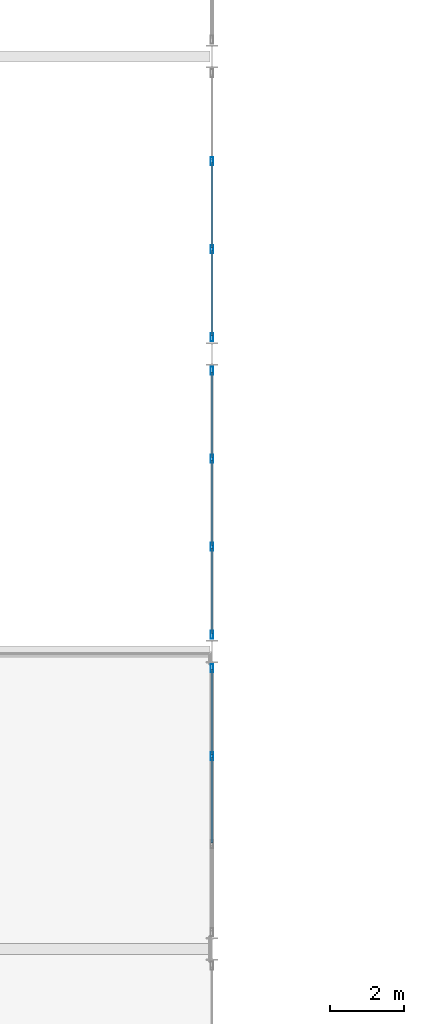
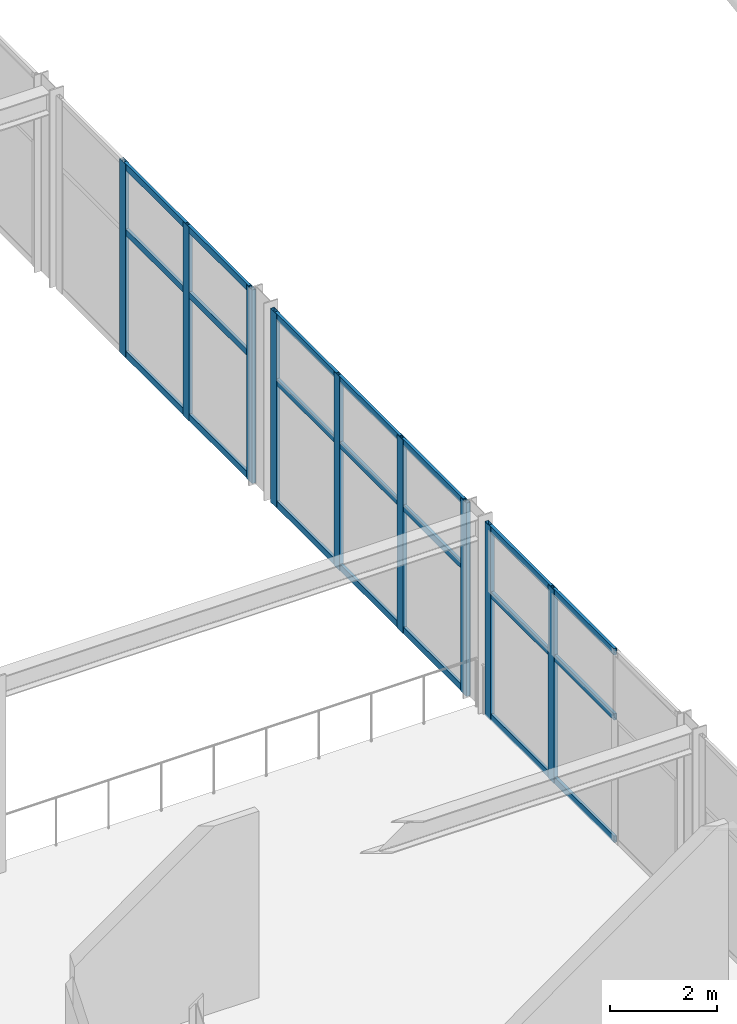
# One storey, part 40 of 105: 30 members, 3 elements without a shape of their own.
"""IFC4 building model written with IfcOpenShell, lengths in metres."""

from ifc_helpers import new_model, si_unit, direction, frame, origin, origin_2d, place, context, subcontext, project, spatial, hollow_rectangle, extrude, material, layer, layer_set, material_profile, profile_set, type_object, element, aggregate, save


model = new_model("IFC4")

# Units and contexts
model_context = context("Model", 3, precision=1e-05, world=origin(), true_north=direction((0.0, 1.0)))
body_context = subcontext(model_context, "Body", "Model", "MODEL_VIEW")
ifc_project = project(units=[si_unit("LENGTHUNIT", "METRE"), si_unit("AREAUNIT", "SQUARE_METRE"), si_unit("VOLUMEUNIT", "CUBIC_METRE"), si_unit("PLANEANGLEUNIT", "RADIAN"), si_unit("MASSUNIT", "GRAM", prefix="KILO")], contexts=[model_context])

# Site, building, storey
site_placement = place(None, origin())
site = spatial("IfcSite", under=ifc_project, at=site_placement, CompositionType="ELEMENT")
building_placement = place(site_placement, origin())
building = spatial("IfcBuilding", under=site, at=building_placement, Name="Marlcrest Central Station", CompositionType="ELEMENT")
storey_placement = place(building_placement, frame((0.0, 0.0, 15.0)))
storey = spatial("IfcBuildingStorey", under=building, at=storey_placement, Name="L03", CompositionType="ELEMENT", Elevation=15.0)

# Curtain wall, members
ifc_material_1 = material(Name="Anodised aluminium and hurricane laminated glass", Category="aluminium")
ifc_layer = layer(ifc_material_1, 0.219970703125, Name="CW-U1")
ifc_layer_set = layer_set([ifc_layer], Name="Anodised aluminium and hurricane laminated glass")
curtain_wall_type = type_object("IfcCurtainWallType", Name="CW-U1", PredefinedType="USERDEFINED", material=ifc_layer_set)
curtain_wall_1_placement = place(storey_placement, origin())
curtain_wall_1 = element("IfcCurtainWall", 1, at=curtain_wall_1_placement, inside=storey, type_object=curtain_wall_type, Name="cw-L03-0106", ObjectType="UNITISED_CURTAIN_WALL", PredefinedType="USERDEFINED")
ifc_material_2 = material(Name="Anodised aluminium 6063-T6", Category="aluminium")
ifc_material_profile_1 = material_profile(ifc_material_2, hollow_rectangle(XDim=0.080078125, YDim=0.219970703125, WallThickness=0.006103515625, at=origin_2d()), Name="AA-RHS 220x80x6")
ifc_profile_set_1 = profile_set([ifc_material_profile_1], Name="Anodised aluminium 6063-T6")
member_type_1 = type_object("IfcMemberType", Name="ML-01", PredefinedType="MULLION", material=ifc_profile_set_1)
member_1_placement = place(storey_placement, frame((129.0, 38.050048828125, -0.030029296875), z_axis=(0.0, 0.0, 1.0), x_axis=(1.0, 0.0, 0.0)))
member_1 = element("IfcMember", 2, at=member_1_placement, type_object=member_type_1, Name="cw-L03-0106-ml-0", PredefinedType="MULLION", context=body_context, shape_type="SweptSolid", body=[
    extrude(hollow_rectangle(XDim=0.080078125, YDim=0.219970703125, WallThickness=0.006103515625, at=origin_2d()), origin(), (0.0, 0.0, 1.0), 4.409912109375),
])
member_2_placement = place(storey_placement, frame((129.0, 35.683349609375, -0.030029296875), z_axis=(0.0, 0.0, 1.0), x_axis=(1.0, 0.0, 0.0)))
member_2 = element("IfcMember", 3, at=member_2_placement, type_object=member_type_1, Name="cw-L03-0106-ml-1", PredefinedType="MULLION", context=body_context, shape_type="SweptSolid", body=[
    extrude(hollow_rectangle(XDim=0.080078125, YDim=0.219970703125, WallThickness=0.006103515625, at=origin_2d()), origin(), (0.0, 0.0, 1.0), 4.409912109375),
])

curtain_wall_2_placement = place(storey_placement, origin())
curtain_wall_2 = element("IfcCurtainWall", 4, at=curtain_wall_2_placement, inside=storey, type_object=curtain_wall_type, Name="cw-L03-0110", ObjectType="UNITISED_CURTAIN_WALL", PredefinedType="USERDEFINED")
member_3_placement = place(storey_placement, frame((129.0, 46.050048828125, -0.030029296875), z_axis=(0.0, 0.0, 1.0), x_axis=(1.0, 0.0, 0.0)))
member_3 = element("IfcMember", 5, at=member_3_placement, type_object=member_type_1, Name="cw-L03-0110-ml-0", PredefinedType="MULLION", context=body_context, shape_type="SweptSolid", body=[
    extrude(hollow_rectangle(XDim=0.080078125, YDim=0.219970703125, WallThickness=0.006103515625, at=origin_2d()), origin(), (0.0, 0.0, 1.0), 4.409912109375),
])
member_4_placement = place(storey_placement, frame((129.0, 43.683349609375, -0.030029296875), z_axis=(0.0, 0.0, 1.0), x_axis=(1.0, 0.0, 0.0)))
member_4 = element("IfcMember", 6, at=member_4_placement, type_object=member_type_1, Name="cw-L03-0110-ml-1", PredefinedType="MULLION", context=body_context, shape_type="SweptSolid", body=[
    extrude(hollow_rectangle(XDim=0.080078125, YDim=0.219970703125, WallThickness=0.006103515625, at=origin_2d()), origin(), (0.0, 0.0, 1.0), 4.409912109375),
])
member_5_placement = place(storey_placement, frame((129.0, 41.316650390625, -0.030029296875), z_axis=(0.0, 0.0, 1.0), x_axis=(1.0, 0.0, 0.0)))
member_5 = element("IfcMember", 7, at=member_5_placement, type_object=member_type_1, Name="cw-L03-0110-ml-2", PredefinedType="MULLION", context=body_context, shape_type="SweptSolid", body=[
    extrude(hollow_rectangle(XDim=0.080078125, YDim=0.219970703125, WallThickness=0.006103515625, at=origin_2d()), origin(), (0.0, 0.0, 1.0), 4.409912109375),
])
member_6_placement = place(storey_placement, frame((129.0, 38.949951171875, -0.030029296875), z_axis=(0.0, 0.0, 1.0), x_axis=(1.0, 0.0, 0.0)))
member_6 = element("IfcMember", 8, at=member_6_placement, type_object=member_type_1, Name="cw-L03-0110-ml-3", PredefinedType="MULLION", context=body_context, shape_type="SweptSolid", body=[
    extrude(hollow_rectangle(XDim=0.080078125, YDim=0.219970703125, WallThickness=0.006103515625, at=origin_2d()), origin(), (0.0, 0.0, 1.0), 4.409912109375),
])

curtain_wall_3_placement = place(storey_placement, origin())
curtain_wall_3 = element("IfcCurtainWall", 9, at=curtain_wall_3_placement, inside=storey, type_object=curtain_wall_type, Name="cw-L03-0114", ObjectType="UNITISED_CURTAIN_WALL", PredefinedType="USERDEFINED")
member_7_placement = place(storey_placement, frame((129.0, 51.683349609375, -0.030029296875), z_axis=(0.0, 0.0, 1.0), x_axis=(1.0, 0.0, 0.0)))
member_7 = element("IfcMember", 10, at=member_7_placement, type_object=member_type_1, Name="cw-L03-0114-ml-1", PredefinedType="MULLION", context=body_context, shape_type="SweptSolid", body=[
    extrude(hollow_rectangle(XDim=0.080078125, YDim=0.219970703125, WallThickness=0.006103515625, at=origin_2d()), origin(), (0.0, 0.0, 1.0), 4.409912109375),
])
member_8_placement = place(storey_placement, frame((129.0, 49.316650390625, -0.030029296875), z_axis=(0.0, 0.0, 1.0), x_axis=(1.0, 0.0, 0.0)))
member_8 = element("IfcMember", 11, at=member_8_placement, type_object=member_type_1, Name="cw-L03-0114-ml-2", PredefinedType="MULLION", context=body_context, shape_type="SweptSolid", body=[
    extrude(hollow_rectangle(XDim=0.080078125, YDim=0.219970703125, WallThickness=0.006103515625, at=origin_2d()), origin(), (0.0, 0.0, 1.0), 4.409912109375),
])
member_9_placement = place(storey_placement, frame((129.0, 46.949951171875, -0.030029296875), z_axis=(0.0, 0.0, 1.0), x_axis=(1.0, 0.0, 0.0)))
member_9 = element("IfcMember", 12, at=member_9_placement, type_object=member_type_1, Name="cw-L03-0114-ml-3", PredefinedType="MULLION", context=body_context, shape_type="SweptSolid", body=[
    extrude(hollow_rectangle(XDim=0.080078125, YDim=0.219970703125, WallThickness=0.006103515625, at=origin_2d()), origin(), (0.0, 0.0, 1.0), 4.409912109375),
])

# Member
ifc_material_profile_2 = material_profile(ifc_material_2, hollow_rectangle(XDim=0.06005859375, YDim=0.14990234375, WallThickness=0.00390625, at=origin_2d()), Name="AA-RHS 150x60x4")
ifc_profile_set_2 = profile_set([ifc_material_profile_2], Name="Anodised aluminium 6063-T6")
member_type_2 = type_object("IfcMemberType", Name="TR-01", PredefinedType="USERDEFINED", material=ifc_profile_set_2)
member_10_placement = place(storey_placement, frame((129.0, 38.011962890625, 0.0400390625), z_axis=(0.0, -1.0, 0.0), x_axis=(1.0, 0.0, 0.0)))
member_10 = element("IfcMember", 13, at=member_10_placement, type_object=member_type_2, Name="cw-L03-0106-tr-0-sill", ObjectType="TRANSOM", PredefinedType="USERDEFINED", context=body_context, shape_type="SweptSolid", body=[
    extrude(hollow_rectangle(XDim=0.06005859375, YDim=0.14990234375, WallThickness=0.00390625, at=origin_2d()), origin(), (0.0, 0.0, 1.0), 2.290771484375),
])

member_11_placement = place(storey_placement, frame((129.0, 38.011962890625, 2.827880859375), z_axis=(0.0, -1.0, 0.0), x_axis=(1.0, 0.0, 0.0)))
member_11 = element("IfcMember", 14, at=member_11_placement, type_object=member_type_2, Name="cw-L03-0106-tr-0-mid", ObjectType="TRANSOM", PredefinedType="USERDEFINED", context=body_context, shape_type="SweptSolid", body=[
    extrude(hollow_rectangle(XDim=0.06005859375, YDim=0.14990234375, WallThickness=0.00390625, at=origin_2d()), origin(), (0.0, 0.0, 1.0), 2.290771484375),
])

member_12_placement = place(storey_placement, frame((129.0, 38.011962890625, 4.31005859375), z_axis=(0.0, -1.0, 0.0), x_axis=(1.0, 0.0, 0.0)))
member_12 = element("IfcMember", 15, at=member_12_placement, type_object=member_type_2, Name="cw-L03-0106-tr-0-head", ObjectType="TRANSOM", PredefinedType="USERDEFINED", context=body_context, shape_type="SweptSolid", body=[
    extrude(hollow_rectangle(XDim=0.06005859375, YDim=0.14990234375, WallThickness=0.00390625, at=origin_2d()), origin(), (0.0, 0.0, 1.0), 2.290771484375),
])

member_13_placement = place(storey_placement, frame((129.0, 35.645263671875, 0.0400390625), z_axis=(0.0, -1.0, 0.0), x_axis=(1.0, 0.0, 0.0)))
member_13 = element("IfcMember", 16, at=member_13_placement, type_object=member_type_2, Name="cw-L03-0106-tr-1-sill", ObjectType="TRANSOM", PredefinedType="USERDEFINED", context=body_context, shape_type="SweptSolid", body=[
    extrude(hollow_rectangle(XDim=0.06005859375, YDim=0.14990234375, WallThickness=0.00390625, at=origin_2d()), origin(), (0.0, 0.0, 1.0), 2.29052734375),
])

member_14_placement = place(storey_placement, frame((129.0, 35.645263671875, 2.827880859375), z_axis=(0.0, -1.0, 0.0), x_axis=(1.0, 0.0, 0.0)))
member_14 = element("IfcMember", 17, at=member_14_placement, type_object=member_type_2, Name="cw-L03-0106-tr-1-mid", ObjectType="TRANSOM", PredefinedType="USERDEFINED", context=body_context, shape_type="SweptSolid", body=[
    extrude(hollow_rectangle(XDim=0.06005859375, YDim=0.14990234375, WallThickness=0.00390625, at=origin_2d()), origin(), (0.0, 0.0, 1.0), 2.29052734375),
])

member_15_placement = place(storey_placement, frame((129.0, 35.645263671875, 4.31005859375), z_axis=(0.0, -1.0, 0.0), x_axis=(1.0, 0.0, 0.0)))
member_15 = element("IfcMember", 18, at=member_15_placement, type_object=member_type_2, Name="cw-L03-0106-tr-1-head", ObjectType="TRANSOM", PredefinedType="USERDEFINED", context=body_context, shape_type="SweptSolid", body=[
    extrude(hollow_rectangle(XDim=0.06005859375, YDim=0.14990234375, WallThickness=0.00390625, at=origin_2d()), origin(), (0.0, 0.0, 1.0), 2.29052734375),
])

aggregate(curtain_wall_1, [member_1, member_2, member_10, member_11, member_12, member_13, member_14, member_15])

member_16_placement = place(storey_placement, frame((129.0, 46.011962890625, 0.0400390625), z_axis=(0.0, -1.0, 0.0), x_axis=(1.0, 0.0, 0.0)))
member_16 = element("IfcMember", 19, at=member_16_placement, type_object=member_type_2, Name="cw-L03-0110-tr-0-sill", ObjectType="TRANSOM", PredefinedType="USERDEFINED", context=body_context, shape_type="SweptSolid", body=[
    extrude(hollow_rectangle(XDim=0.06005859375, YDim=0.14990234375, WallThickness=0.00390625, at=origin_2d()), origin(), (0.0, 0.0, 1.0), 2.290771484375),
])

member_17_placement = place(storey_placement, frame((129.0, 46.011962890625, 2.827880859375), z_axis=(0.0, -1.0, 0.0), x_axis=(1.0, 0.0, 0.0)))
member_17 = element("IfcMember", 20, at=member_17_placement, type_object=member_type_2, Name="cw-L03-0110-tr-0-mid", ObjectType="TRANSOM", PredefinedType="USERDEFINED", context=body_context, shape_type="SweptSolid", body=[
    extrude(hollow_rectangle(XDim=0.06005859375, YDim=0.14990234375, WallThickness=0.00390625, at=origin_2d()), origin(), (0.0, 0.0, 1.0), 2.290771484375),
])

member_18_placement = place(storey_placement, frame((129.0, 46.011962890625, 4.31005859375), z_axis=(0.0, -1.0, 0.0), x_axis=(1.0, 0.0, 0.0)))
member_18 = element("IfcMember", 21, at=member_18_placement, type_object=member_type_2, Name="cw-L03-0110-tr-0-head", ObjectType="TRANSOM", PredefinedType="USERDEFINED", context=body_context, shape_type="SweptSolid", body=[
    extrude(hollow_rectangle(XDim=0.06005859375, YDim=0.14990234375, WallThickness=0.00390625, at=origin_2d()), origin(), (0.0, 0.0, 1.0), 2.290771484375),
])

member_19_placement = place(storey_placement, frame((129.0, 43.645263671875, 0.0400390625), z_axis=(0.0, -1.0, 0.0), x_axis=(1.0, 0.0, 0.0)))
member_19 = element("IfcMember", 22, at=member_19_placement, type_object=member_type_2, Name="cw-L03-0110-tr-1-sill", ObjectType="TRANSOM", PredefinedType="USERDEFINED", context=body_context, shape_type="SweptSolid", body=[
    extrude(hollow_rectangle(XDim=0.06005859375, YDim=0.14990234375, WallThickness=0.00390625, at=origin_2d()), origin(), (0.0, 0.0, 1.0), 2.29052734375),
])

member_20_placement = place(storey_placement, frame((129.0, 43.645263671875, 2.827880859375), z_axis=(0.0, -1.0, 0.0), x_axis=(1.0, 0.0, 0.0)))
member_20 = element("IfcMember", 23, at=member_20_placement, type_object=member_type_2, Name="cw-L03-0110-tr-1-mid", ObjectType="TRANSOM", PredefinedType="USERDEFINED", context=body_context, shape_type="SweptSolid", body=[
    extrude(hollow_rectangle(XDim=0.06005859375, YDim=0.14990234375, WallThickness=0.00390625, at=origin_2d()), origin(), (0.0, 0.0, 1.0), 2.29052734375),
])

member_21_placement = place(storey_placement, frame((129.0, 43.645263671875, 4.31005859375), z_axis=(0.0, -1.0, 0.0), x_axis=(1.0, 0.0, 0.0)))
member_21 = element("IfcMember", 24, at=member_21_placement, type_object=member_type_2, Name="cw-L03-0110-tr-1-head", ObjectType="TRANSOM", PredefinedType="USERDEFINED", context=body_context, shape_type="SweptSolid", body=[
    extrude(hollow_rectangle(XDim=0.06005859375, YDim=0.14990234375, WallThickness=0.00390625, at=origin_2d()), origin(), (0.0, 0.0, 1.0), 2.29052734375),
])

member_22_placement = place(storey_placement, frame((129.0, 41.27880859375, 0.0400390625), z_axis=(0.0, -1.0, 0.0), x_axis=(1.0, 0.0, 0.0)))
member_22 = element("IfcMember", 25, at=member_22_placement, type_object=member_type_2, Name="cw-L03-0110-tr-2-sill", ObjectType="TRANSOM", PredefinedType="USERDEFINED", context=body_context, shape_type="SweptSolid", body=[
    extrude(hollow_rectangle(XDim=0.06005859375, YDim=0.14990234375, WallThickness=0.00390625, at=origin_2d()), origin(), (0.0, 0.0, 1.0), 2.290771484375),
])

member_23_placement = place(storey_placement, frame((129.0, 41.27880859375, 2.827880859375), z_axis=(0.0, -1.0, 0.0), x_axis=(1.0, 0.0, 0.0)))
member_23 = element("IfcMember", 26, at=member_23_placement, type_object=member_type_2, Name="cw-L03-0110-tr-2-mid", ObjectType="TRANSOM", PredefinedType="USERDEFINED", context=body_context, shape_type="SweptSolid", body=[
    extrude(hollow_rectangle(XDim=0.06005859375, YDim=0.14990234375, WallThickness=0.00390625, at=origin_2d()), origin(), (0.0, 0.0, 1.0), 2.290771484375),
])

member_24_placement = place(storey_placement, frame((129.0, 41.27880859375, 4.31005859375), z_axis=(0.0, -1.0, 0.0), x_axis=(1.0, 0.0, 0.0)))
member_24 = element("IfcMember", 27, at=member_24_placement, type_object=member_type_2, Name="cw-L03-0110-tr-2-head", ObjectType="TRANSOM", PredefinedType="USERDEFINED", context=body_context, shape_type="SweptSolid", body=[
    extrude(hollow_rectangle(XDim=0.06005859375, YDim=0.14990234375, WallThickness=0.00390625, at=origin_2d()), origin(), (0.0, 0.0, 1.0), 2.290771484375),
])

aggregate(curtain_wall_2, [member_3, member_4, member_5, member_6, member_16, member_17, member_18, member_19, member_20, member_21, member_22, member_23, member_24])

member_25_placement = place(storey_placement, frame((129.0, 51.645263671875, 0.0400390625), z_axis=(0.0, -1.0, 0.0), x_axis=(1.0, 0.0, 0.0)))
member_25 = element("IfcMember", 28, at=member_25_placement, type_object=member_type_2, Name="cw-L03-0114-tr-1-sill", ObjectType="TRANSOM", PredefinedType="USERDEFINED", context=body_context, shape_type="SweptSolid", body=[
    extrude(hollow_rectangle(XDim=0.06005859375, YDim=0.14990234375, WallThickness=0.00390625, at=origin_2d()), origin(), (0.0, 0.0, 1.0), 2.29052734375),
])

member_26_placement = place(storey_placement, frame((129.0, 51.645263671875, 2.827880859375), z_axis=(0.0, -1.0, 0.0), x_axis=(1.0, 0.0, 0.0)))
member_26 = element("IfcMember", 29, at=member_26_placement, type_object=member_type_2, Name="cw-L03-0114-tr-1-mid", ObjectType="TRANSOM", PredefinedType="USERDEFINED", context=body_context, shape_type="SweptSolid", body=[
    extrude(hollow_rectangle(XDim=0.06005859375, YDim=0.14990234375, WallThickness=0.00390625, at=origin_2d()), origin(), (0.0, 0.0, 1.0), 2.29052734375),
])

member_27_placement = place(storey_placement, frame((129.0, 51.645263671875, 4.31005859375), z_axis=(0.0, -1.0, 0.0), x_axis=(1.0, 0.0, 0.0)))
member_27 = element("IfcMember", 30, at=member_27_placement, type_object=member_type_2, Name="cw-L03-0114-tr-1-head", ObjectType="TRANSOM", PredefinedType="USERDEFINED", context=body_context, shape_type="SweptSolid", body=[
    extrude(hollow_rectangle(XDim=0.06005859375, YDim=0.14990234375, WallThickness=0.00390625, at=origin_2d()), origin(), (0.0, 0.0, 1.0), 2.29052734375),
])

member_28_placement = place(storey_placement, frame((129.0, 49.27880859375, 0.0400390625), z_axis=(0.0, -1.0, 0.0), x_axis=(1.0, 0.0, 0.0)))
member_28 = element("IfcMember", 31, at=member_28_placement, type_object=member_type_2, Name="cw-L03-0114-tr-2-sill", ObjectType="TRANSOM", PredefinedType="USERDEFINED", context=body_context, shape_type="SweptSolid", body=[
    extrude(hollow_rectangle(XDim=0.06005859375, YDim=0.14990234375, WallThickness=0.00390625, at=origin_2d()), origin(), (0.0, 0.0, 1.0), 2.290771484375),
])

member_29_placement = place(storey_placement, frame((129.0, 49.27880859375, 2.827880859375), z_axis=(0.0, -1.0, 0.0), x_axis=(1.0, 0.0, 0.0)))
member_29 = element("IfcMember", 32, at=member_29_placement, type_object=member_type_2, Name="cw-L03-0114-tr-2-mid", ObjectType="TRANSOM", PredefinedType="USERDEFINED", context=body_context, shape_type="SweptSolid", body=[
    extrude(hollow_rectangle(XDim=0.06005859375, YDim=0.14990234375, WallThickness=0.00390625, at=origin_2d()), origin(), (0.0, 0.0, 1.0), 2.290771484375),
])

member_30_placement = place(storey_placement, frame((129.0, 49.27880859375, 4.31005859375), z_axis=(0.0, -1.0, 0.0), x_axis=(1.0, 0.0, 0.0)))
member_30 = element("IfcMember", 33, at=member_30_placement, type_object=member_type_2, Name="cw-L03-0114-tr-2-head", ObjectType="TRANSOM", PredefinedType="USERDEFINED", context=body_context, shape_type="SweptSolid", body=[
    extrude(hollow_rectangle(XDim=0.06005859375, YDim=0.14990234375, WallThickness=0.00390625, at=origin_2d()), origin(), (0.0, 0.0, 1.0), 2.290771484375),
])

aggregate(curtain_wall_3, [member_7, member_8, member_9, member_25, member_26, member_27, member_28, member_29, member_30])

save(model, "model.ifc")
